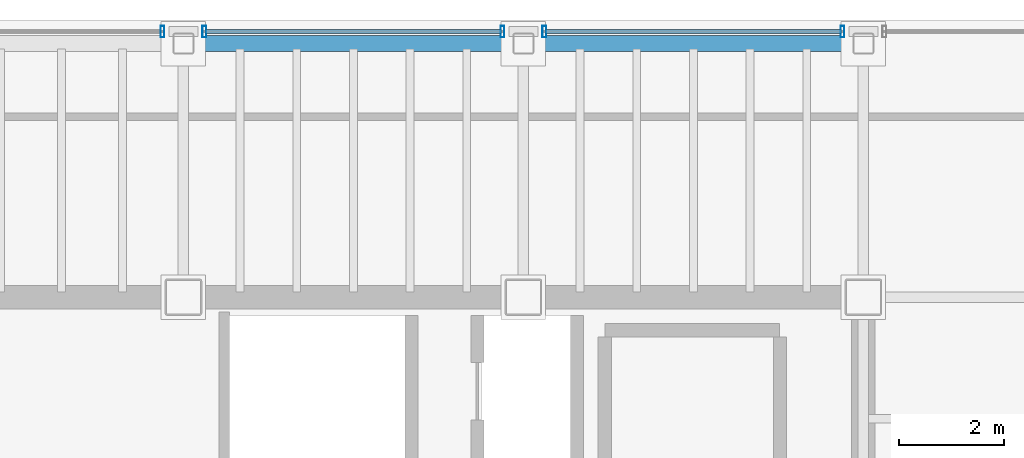
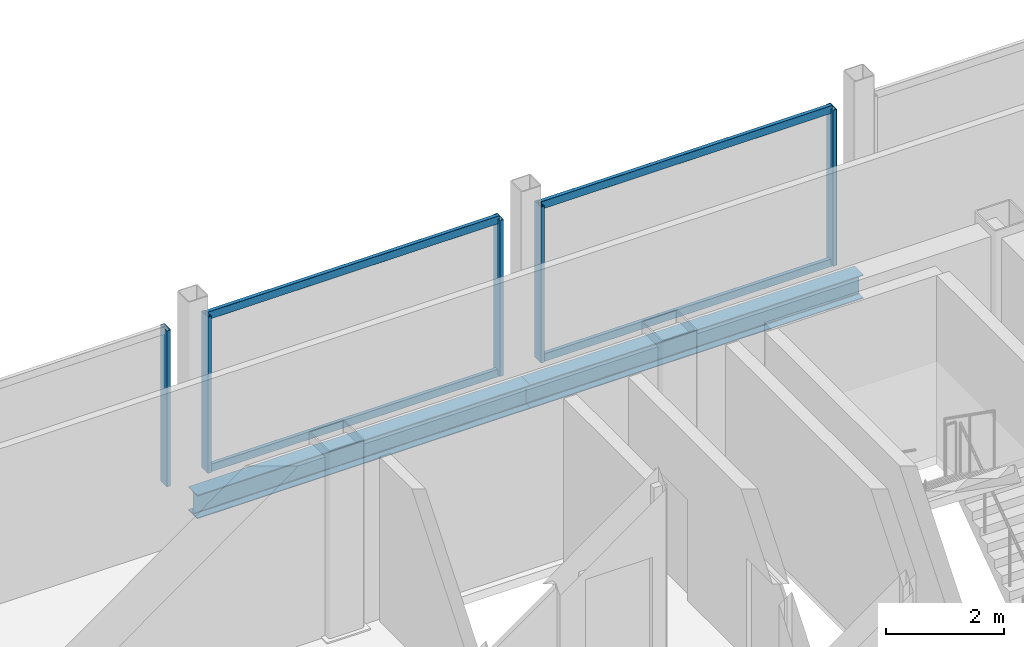
# One storey, part 11 of 17: 9 members, 2 beams, 3 elements without a shape of their own.
"""IFC4 building model written with IfcOpenShell, lengths in metres."""

from ifc_helpers import new_model, si_unit, direction, frame, origin, origin_2d, place, context, subcontext, project, spatial, hollow_rectangle, i_section, extrude, material, material_profile, profile_set, type_object, element, aggregate, save


model = new_model("IFC4")

# Units and contexts
model_context = context("Model", 3, precision=1e-05, world=origin(), true_north=direction((0.0, 1.0)))
body_context = subcontext(model_context, "Body", "Model", "MODEL_VIEW")
ifc_project = project(units=[si_unit("LENGTHUNIT", "METRE"), si_unit("AREAUNIT", "SQUARE_METRE"), si_unit("VOLUMEUNIT", "CUBIC_METRE"), si_unit("PLANEANGLEUNIT", "RADIAN"), si_unit("MASSUNIT", "GRAM", prefix="KILO")], contexts=[model_context])

# Site, building, storey
site_placement = place(None, origin())
site = spatial("IfcSite", under=ifc_project, at=site_placement, CompositionType="ELEMENT")
building_placement = place(site_placement, origin())
building = spatial("IfcBuilding", under=site, at=building_placement, Name="Noeulbin Bourse Tower", CompositionType="ELEMENT")
storey_placement = place(building_placement, frame((0.0, 0.0, 285.199951171875)))
storey = spatial("IfcBuildingStorey", under=building, at=storey_placement, Name="L71", CompositionType="ELEMENT", Elevation=285.199951171875)

# Beams
ifc_material_1 = material(Name="Steel S355", Category="steel")
ifc_material_profile_1 = material_profile(ifc_material_1, i_section(OverallWidth=0.300048828125, OverallDepth=0.488037109375, WebThickness=0.010986328125, FlangeThickness=0.01806640625, FilletRadius=0.02197265625, at=origin_2d()), Name="H-488x300x11x18", Category="LoadBearing")
ifc_profile_set_1 = profile_set([ifc_material_profile_1], Name="Steel S355")
beam_type = type_object("IfcBeamType", Name="BM-SPN-488", PredefinedType="SPANDREL", material=ifc_profile_set_1)
for number, where, z_axis, x_axis, name in (
    (1, (31.0, 43.14990234375, -0.424072265625), (1.0, 0.0, 0.0), (0.0, 1.0, 0.0), "North Spandrel L71-2"),
    (2, (37.5, 43.14990234375, -0.424072265625), (1.0, 0.0, 0.0), (0.0, 1.0, 0.0), "North Spandrel L71-3"),
):
    element("IfcBeam", number, at=place(storey_placement, frame(where, z_axis=z_axis, x_axis=x_axis)), inside=storey, type_object=beam_type, Name=name, PredefinedType="SPANDREL", context=body_context, shape_type="SweptSolid", body=[
        extrude(i_section(OverallWidth=0.300048828125, OverallDepth=0.488037109375, WebThickness=0.010986328125, FlangeThickness=0.01806640625, FilletRadius=0.02197265625, at=origin_2d()), origin(), (0.0, 0.0, 1.0), 6.5),
    ])

# Curtain wall, member
ifc_material_2 = material(Name="High-Selectivity Low-Iron Glazing", Category="glass")
curtain_wall_type = type_object("IfcCurtainWallType", Name="CW-SYS-4", PredefinedType="NOTDEFINED", material=ifc_material_2)
curtain_wall_1_placement = place(storey_placement, origin())
curtain_wall_1 = element("IfcCurtainWall", 3, at=curtain_wall_1_placement, inside=storey, type_object=curtain_wall_type, Name="Unitised Curtain Wall CW-L71-N-S2", PredefinedType="NOTDEFINED")
ifc_material_3 = material(Name="Anodised Aluminium 6063-T6", Category="aluminium")
ifc_material_profile_2 = material_profile(ifc_material_3, hollow_rectangle(XDim=0.074951171875, YDim=0.219970703125, WallThickness=0.0048828125, InnerFilletRadius=0.00244140625, OuterFilletRadius=0.0048828125, at=origin_2d()), Name="ALU-MULL-75x220x5", Category="LoadBearing")
ifc_profile_set_2 = profile_set([ifc_material_profile_2], Name="Anodised Aluminium 6063-T6")
member_type_1 = type_object("IfcMemberType", Name="CW-SYS-4-MUL", PredefinedType="MULLION", material=ifc_profile_set_2)
member_1_placement = place(storey_placement, frame((30.60009765625, 43.3798828125, -0.02001953125), z_axis=(0.0, 0.0, 1.0), x_axis=(1.0, 0.0, 0.0)))
member_1 = element("IfcMember", 4, at=member_1_placement, type_object=member_type_1, Name="Curtain Wall Mullion CW-L71-N-S2-M01", PredefinedType="MULLION", context=body_context, shape_type="SweptSolid", body=[
    extrude(hollow_rectangle(XDim=0.074951171875, YDim=0.219970703125, WallThickness=0.0048828125, InnerFilletRadius=0.00244140625, OuterFilletRadius=0.0048828125, at=origin_2d()), origin(), (0.0, 0.0, 1.0), 3.219970703125),
])
aggregate(curtain_wall_1, [member_1])

# Curtain wall, members
curtain_wall_2_placement = place(storey_placement, origin())
curtain_wall_2 = element("IfcCurtainWall", 5, at=curtain_wall_2_placement, inside=storey, type_object=curtain_wall_type, Name="Unitised Curtain Wall CW-L71-N-S3", PredefinedType="NOTDEFINED")
member_2_placement = place(storey_placement, frame((31.39990234375, 43.3798828125, -0.02001953125), z_axis=(0.0, 0.0, 1.0), x_axis=(1.0, 0.0, 0.0)))
member_2 = element("IfcMember", 6, at=member_2_placement, type_object=member_type_1, Name="Curtain Wall Mullion CW-L71-N-S3-M00", PredefinedType="MULLION", context=body_context, shape_type="SweptSolid", body=[
    extrude(hollow_rectangle(XDim=0.074951171875, YDim=0.219970703125, WallThickness=0.0048828125, InnerFilletRadius=0.00244140625, OuterFilletRadius=0.0048828125, at=origin_2d()), origin(), (0.0, 0.0, 1.0), 3.219970703125),
])
member_3_placement = place(storey_placement, frame((37.10009765625, 43.3798828125, -0.02001953125), z_axis=(0.0, 0.0, 1.0), x_axis=(1.0, 0.0, 0.0)))
member_3 = element("IfcMember", 7, at=member_3_placement, type_object=member_type_1, Name="Curtain Wall Mullion CW-L71-N-S3-M01", PredefinedType="MULLION", context=body_context, shape_type="SweptSolid", body=[
    extrude(hollow_rectangle(XDim=0.074951171875, YDim=0.219970703125, WallThickness=0.0048828125, InnerFilletRadius=0.00244140625, OuterFilletRadius=0.0048828125, at=origin_2d()), origin(), (0.0, 0.0, 1.0), 3.219970703125),
])

curtain_wall_3_placement = place(storey_placement, origin())
curtain_wall_3 = element("IfcCurtainWall", 8, at=curtain_wall_3_placement, inside=storey, type_object=curtain_wall_type, Name="Unitised Curtain Wall CW-L71-N-S4", PredefinedType="NOTDEFINED")
member_4_placement = place(storey_placement, frame((37.89990234375, 43.3798828125, -0.02001953125), z_axis=(0.0, 0.0, 1.0), x_axis=(1.0, 0.0, 0.0)))
member_4 = element("IfcMember", 9, at=member_4_placement, type_object=member_type_1, Name="Curtain Wall Mullion CW-L71-N-S4-M00", PredefinedType="MULLION", context=body_context, shape_type="SweptSolid", body=[
    extrude(hollow_rectangle(XDim=0.074951171875, YDim=0.219970703125, WallThickness=0.0048828125, InnerFilletRadius=0.00244140625, OuterFilletRadius=0.0048828125, at=origin_2d()), origin(), (0.0, 0.0, 1.0), 3.219970703125),
])
member_5_placement = place(storey_placement, frame((43.60009765625, 43.3798828125, -0.02001953125), z_axis=(0.0, 0.0, 1.0), x_axis=(1.0, 0.0, 0.0)))
member_5 = element("IfcMember", 10, at=member_5_placement, type_object=member_type_1, Name="Curtain Wall Mullion CW-L71-N-S4-M01", PredefinedType="MULLION", context=body_context, shape_type="SweptSolid", body=[
    extrude(hollow_rectangle(XDim=0.074951171875, YDim=0.219970703125, WallThickness=0.0048828125, InnerFilletRadius=0.00244140625, OuterFilletRadius=0.0048828125, at=origin_2d()), origin(), (0.0, 0.0, 1.0), 3.219970703125),
])

# Member
ifc_material_profile_3 = material_profile(ifc_material_3, hollow_rectangle(XDim=0.074951171875, YDim=0.159912109375, WallThickness=0.0048828125, InnerFilletRadius=0.00244140625, OuterFilletRadius=0.0048828125, at=origin_2d()), Name="ALU-TRAN-75x160x5", Category="LoadBearing")
ifc_profile_set_3 = profile_set([ifc_material_profile_3], Name="Anodised Aluminium 6063-T6")
member_type_2 = type_object("IfcMemberType", Name="CW-SYS-4-TRN", PredefinedType="USERDEFINED", material=ifc_profile_set_3)
member_6_placement = place(storey_placement, frame((31.409912109375, 43.3798828125, 0.010009765625), z_axis=(1.0, 0.0, 0.0), x_axis=(0.0, 1.0, 0.0)))
member_6 = element("IfcMember", 11, at=member_6_placement, type_object=member_type_2, Name="Curtain Wall Transom CW-L71-N-S3-T00", ObjectType="TRANSOM", PredefinedType="USERDEFINED", context=body_context, shape_type="SweptSolid", body=[
    extrude(hollow_rectangle(XDim=0.074951171875, YDim=0.159912109375, WallThickness=0.0048828125, InnerFilletRadius=0.00244140625, OuterFilletRadius=0.0048828125, at=origin_2d()), origin(), (0.0, 0.0, 1.0), 5.68017578125),
])

member_7_placement = place(storey_placement, frame((31.409912109375, 43.3798828125, 3.170166015625), z_axis=(1.0, 0.0, 0.0), x_axis=(0.0, 1.0, 0.0)))
member_7 = element("IfcMember", 12, at=member_7_placement, type_object=member_type_2, Name="Curtain Wall Transom CW-L71-N-S3-T01", ObjectType="TRANSOM", PredefinedType="USERDEFINED", context=body_context, shape_type="SweptSolid", body=[
    extrude(hollow_rectangle(XDim=0.074951171875, YDim=0.159912109375, WallThickness=0.0048828125, InnerFilletRadius=0.00244140625, OuterFilletRadius=0.0048828125, at=origin_2d()), origin(), (0.0, 0.0, 1.0), 5.68017578125),
])

aggregate(curtain_wall_2, [member_2, member_3, member_6, member_7])

member_8_placement = place(storey_placement, frame((37.909912109375, 43.3798828125, 0.010009765625), z_axis=(1.0, 0.0, 0.0), x_axis=(0.0, 1.0, 0.0)))
member_8 = element("IfcMember", 13, at=member_8_placement, type_object=member_type_2, Name="Curtain Wall Transom CW-L71-N-S4-T00", ObjectType="TRANSOM", PredefinedType="USERDEFINED", context=body_context, shape_type="SweptSolid", body=[
    extrude(hollow_rectangle(XDim=0.074951171875, YDim=0.159912109375, WallThickness=0.0048828125, InnerFilletRadius=0.00244140625, OuterFilletRadius=0.0048828125, at=origin_2d()), origin(), (0.0, 0.0, 1.0), 5.68017578125),
])

member_9_placement = place(storey_placement, frame((37.909912109375, 43.3798828125, 3.170166015625), z_axis=(1.0, 0.0, 0.0), x_axis=(0.0, 1.0, 0.0)))
member_9 = element("IfcMember", 14, at=member_9_placement, type_object=member_type_2, Name="Curtain Wall Transom CW-L71-N-S4-T01", ObjectType="TRANSOM", PredefinedType="USERDEFINED", context=body_context, shape_type="SweptSolid", body=[
    extrude(hollow_rectangle(XDim=0.074951171875, YDim=0.159912109375, WallThickness=0.0048828125, InnerFilletRadius=0.00244140625, OuterFilletRadius=0.0048828125, at=origin_2d()), origin(), (0.0, 0.0, 1.0), 5.68017578125),
])

aggregate(curtain_wall_3, [member_4, member_5, member_8, member_9])

save(model, "model.ifc")
